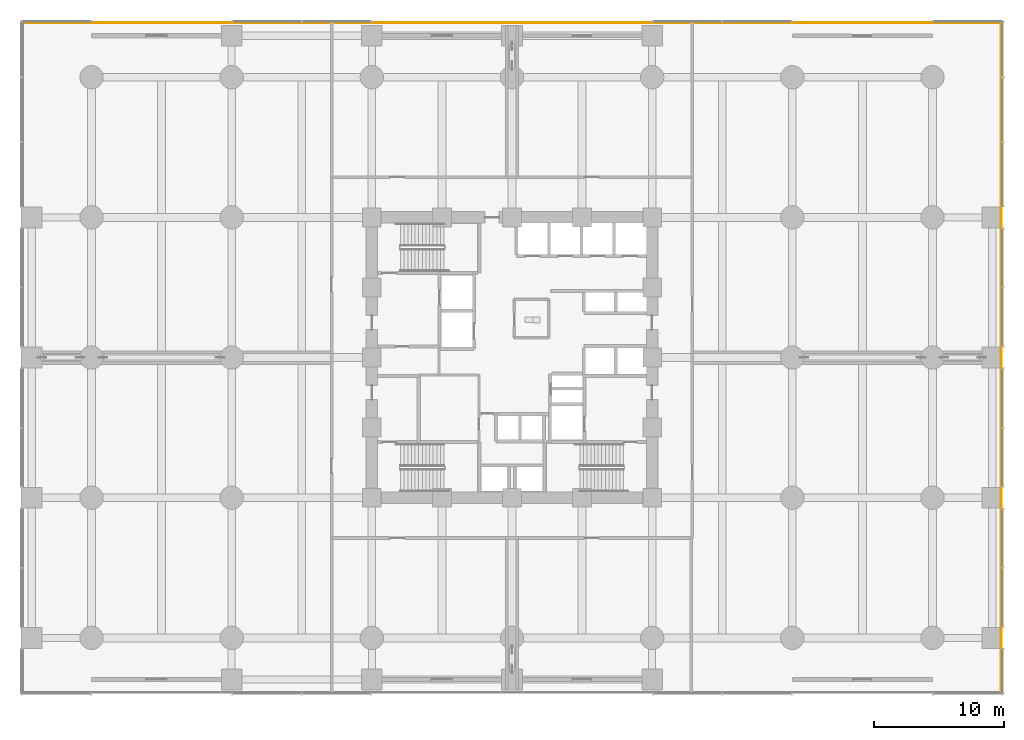
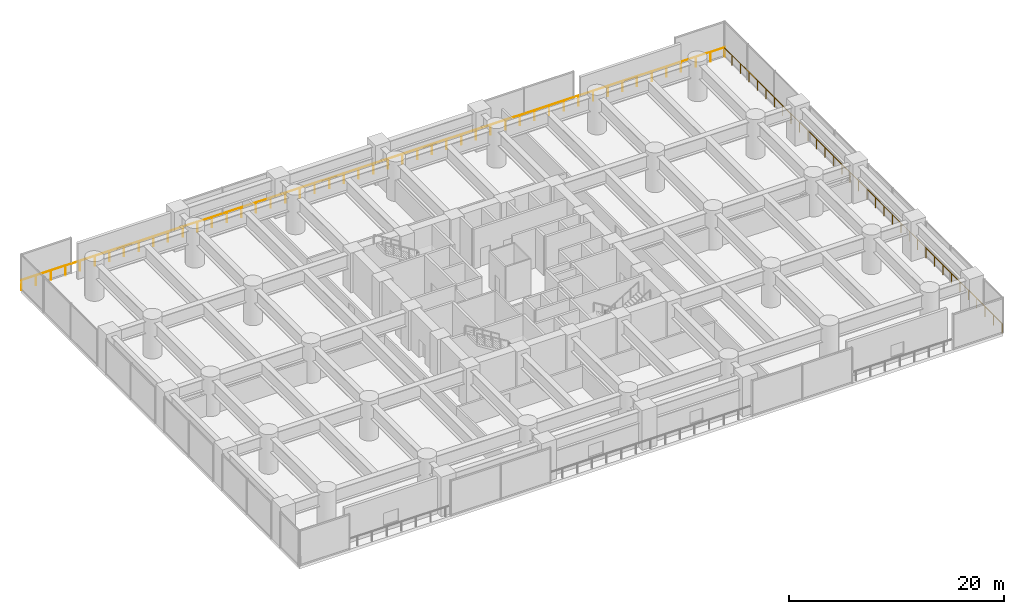
# One storey, part 36 of 37: 2 railings.
"""IFC4 building model written with IfcOpenShell, lengths in metres."""

from ifc_helpers import new_model, si_unit, direction, frame, origin, origin_2d, place, context, subcontext, project, spatial, circle, extrude, material, type_object, element, save


model = new_model("IFC4")

# Units and contexts
model_context = context("Model", 3, precision=1e-05, world=origin(), true_north=direction((0.0, 1.0)))
body_context = subcontext(model_context, "Body", "Model", "MODEL_VIEW")
ifc_project = project(units=[si_unit("LENGTHUNIT", "METRE"), si_unit("AREAUNIT", "SQUARE_METRE"), si_unit("VOLUMEUNIT", "CUBIC_METRE"), si_unit("PLANEANGLEUNIT", "RADIAN"), si_unit("MASSUNIT", "GRAM", prefix="KILO")], contexts=[model_context])

# Site, building, storey
site_placement = place(None, origin())
site = spatial("IfcSite", under=ifc_project, at=site_placement, CompositionType="ELEMENT")
building_placement = place(site_placement, origin())
building = spatial("IfcBuilding", under=site, at=building_placement, Name="Surkhivell Harbour Commons", CompositionType="ELEMENT")
storey_placement = place(building_placement, frame((0.0, 0.0, 18.0)))
storey = spatial("IfcBuildingStorey", under=building, at=storey_placement, Name="L04", CompositionType="ELEMENT", Elevation=18.0)

# Railings
ifc_material = material(Name="Laminated safety glass and stainless steel S355 balustrade", Category="steel")
railing_type = type_object("IfcRailingType", Name="RAL-BAL-1150", PredefinedType="BALUSTRADE", material=ifc_material)
railing_1_placement = place(storey_placement, frame((37.699951171875, -25.89990234375, 0.0)))
element("IfcRailing", 1, at=railing_1_placement, inside=storey, type_object=railing_type, Name="L04 Perimeter Safety Guard 02", PredefinedType="BALUSTRADE", context=body_context, shape_type="SweptSolid", body=[
    extrude(circle(Radius=0.02392578125, at=origin_2d()), frame((0.0, 0.0, 1.1259765625), z_axis=(0.0, 1.0, 0.0), x_axis=(-1.0, 0.0, 0.0)), (0.0, 0.0, 1.0), 51.7998046875),
    extrude(circle(Radius=0.02099609375, at=origin_2d()), origin(), (0.0, 0.0, 1.0), 1.101806640625),
    extrude(circle(Radius=0.02099609375, at=origin_2d()), frame((0.0, 1.569580078125, 0.0)), (0.0, 0.0, 1.0), 1.101806640625),
    extrude(circle(Radius=0.02099609375, at=origin_2d()), frame((0.0, 3.139404296875, 0.0)), (0.0, 0.0, 1.0), 1.101806640625),
    extrude(circle(Radius=0.02099609375, at=origin_2d()), frame((0.0, 4.708984375, 0.0)), (0.0, 0.0, 1.0), 1.101806640625),
    extrude(circle(Radius=0.02099609375, at=origin_2d()), frame((0.0, 6.27880859375, 0.0)), (0.0, 0.0, 1.0), 1.101806640625),
    extrude(circle(Radius=0.02099609375, at=origin_2d()), frame((0.0, 7.848388671875, 0.0)), (0.0, 0.0, 1.0), 1.101806640625),
    extrude(circle(Radius=0.02099609375, at=origin_2d()), frame((0.0, 9.418212890625, 0.0)), (0.0, 0.0, 1.0), 1.101806640625),
    extrude(circle(Radius=0.02099609375, at=origin_2d()), frame((0.0, 10.98779296875, 0.0)), (0.0, 0.0, 1.0), 1.101806640625),
    extrude(circle(Radius=0.02099609375, at=origin_2d()), frame((0.0, 12.5576171875, 0.0)), (0.0, 0.0, 1.0), 1.101806640625),
    extrude(circle(Radius=0.02099609375, at=origin_2d()), frame((0.0, 14.127197265625, 0.0)), (0.0, 0.0, 1.0), 1.101806640625),
    extrude(circle(Radius=0.02099609375, at=origin_2d()), frame((0.0, 15.697021484375, 0.0)), (0.0, 0.0, 1.0), 1.101806640625),
    extrude(circle(Radius=0.02099609375, at=origin_2d()), frame((0.0, 17.2666015625, 0.0)), (0.0, 0.0, 1.0), 1.101806640625),
    extrude(circle(Radius=0.02099609375, at=origin_2d()), frame((0.0, 18.836181640625, 0.0)), (0.0, 0.0, 1.0), 1.101806640625),
    extrude(circle(Radius=0.02099609375, at=origin_2d()), frame((0.0, 20.406005859375, 0.0)), (0.0, 0.0, 1.0), 1.101806640625),
    extrude(circle(Radius=0.02099609375, at=origin_2d()), frame((0.0, 21.9755859375, 0.0)), (0.0, 0.0, 1.0), 1.101806640625),
    extrude(circle(Radius=0.02099609375, at=origin_2d()), frame((0.0, 23.54541015625, 0.0)), (0.0, 0.0, 1.0), 1.101806640625),
    extrude(circle(Radius=0.02099609375, at=origin_2d()), frame((0.0, 25.114990234375, 0.0)), (0.0, 0.0, 1.0), 1.101806640625),
    extrude(circle(Radius=0.02099609375, at=origin_2d()), frame((0.0, 26.684814453125, 0.0)), (0.0, 0.0, 1.0), 1.101806640625),
    extrude(circle(Radius=0.02099609375, at=origin_2d()), frame((0.0, 28.25439453125, 0.0)), (0.0, 0.0, 1.0), 1.101806640625),
    extrude(circle(Radius=0.02099609375, at=origin_2d()), frame((0.0, 29.82421875, 0.0)), (0.0, 0.0, 1.0), 1.101806640625),
    extrude(circle(Radius=0.02099609375, at=origin_2d()), frame((0.0, 31.393798828125, 0.0)), (0.0, 0.0, 1.0), 1.101806640625),
    extrude(circle(Radius=0.02099609375, at=origin_2d()), frame((0.0, 32.963623046875, 0.0)), (0.0, 0.0, 1.0), 1.101806640625),
    extrude(circle(Radius=0.02099609375, at=origin_2d()), frame((0.0, 34.533203125, 0.0)), (0.0, 0.0, 1.0), 1.101806640625),
    extrude(circle(Radius=0.02099609375, at=origin_2d()), frame((0.0, 36.102783203125, 0.0)), (0.0, 0.0, 1.0), 1.101806640625),
    extrude(circle(Radius=0.02099609375, at=origin_2d()), frame((0.0, 37.672607421875, 0.0)), (0.0, 0.0, 1.0), 1.101806640625),
    extrude(circle(Radius=0.02099609375, at=origin_2d()), frame((0.0, 39.2421875, 0.0)), (0.0, 0.0, 1.0), 1.101806640625),
    extrude(circle(Radius=0.02099609375, at=origin_2d()), frame((0.0, 40.81201171875, 0.0)), (0.0, 0.0, 1.0), 1.101806640625),
    extrude(circle(Radius=0.02099609375, at=origin_2d()), frame((0.0, 42.381591796875, 0.0)), (0.0, 0.0, 1.0), 1.101806640625),
    extrude(circle(Radius=0.02099609375, at=origin_2d()), frame((0.0, 43.951416015625, 0.0)), (0.0, 0.0, 1.0), 1.101806640625),
    extrude(circle(Radius=0.02099609375, at=origin_2d()), frame((0.0, 45.52099609375, 0.0)), (0.0, 0.0, 1.0), 1.101806640625),
    extrude(circle(Radius=0.02099609375, at=origin_2d()), frame((0.0, 47.0908203125, 0.0)), (0.0, 0.0, 1.0), 1.101806640625),
    extrude(circle(Radius=0.02099609375, at=origin_2d()), frame((0.0, 48.660400390625, 0.0)), (0.0, 0.0, 1.0), 1.101806640625),
    extrude(circle(Radius=0.02099609375, at=origin_2d()), frame((0.0, 50.230224609375, 0.0)), (0.0, 0.0, 1.0), 1.101806640625),
    extrude(circle(Radius=0.02099609375, at=origin_2d()), frame((0.0, 51.7998046875, 0.0)), (0.0, 0.0, 1.0), 1.101806640625),
])
railing_2_placement = place(storey_placement, frame((37.800048828125, 25.800048828125, 0.0)))
element("IfcRailing", 2, at=railing_2_placement, inside=storey, type_object=railing_type, Name="L04 Perimeter Safety Guard 03", PredefinedType="BALUSTRADE", context=body_context, shape_type="SweptSolid", body=[
    extrude(circle(Radius=0.02392578125, at=origin_2d()), frame((0.0, 0.0, 1.1259765625), z_axis=(-1.0, 0.0, 0.0), x_axis=(0.0, -1.0, 0.0)), (0.0, 0.0, 1.0), 75.60009765625),
    extrude(circle(Radius=0.02099609375, at=origin_2d()), origin(), (0.0, 0.0, 1.0), 1.101806640625),
    extrude(circle(Radius=0.02099609375, at=origin_2d()), frame((-1.574951171875, 0.0, 0.0)), (0.0, 0.0, 1.0), 1.101806640625),
    extrude(circle(Radius=0.02099609375, at=origin_2d()), frame((-3.14990234375, 0.0, 0.0)), (0.0, 0.0, 1.0), 1.101806640625),
    extrude(circle(Radius=0.02099609375, at=origin_2d()), frame((-4.72509765625, 0.0, 0.0)), (0.0, 0.0, 1.0), 1.101806640625),
    extrude(circle(Radius=0.02099609375, at=origin_2d()), frame((-6.300048828125, 0.0, 0.0)), (0.0, 0.0, 1.0), 1.101806640625),
    extrude(circle(Radius=0.02099609375, at=origin_2d()), frame((-7.875, 0.0, 0.0)), (0.0, 0.0, 1.0), 1.101806640625),
    extrude(circle(Radius=0.02099609375, at=origin_2d()), frame((-9.449951171875, 0.0, 0.0)), (0.0, 0.0, 1.0), 1.101806640625),
    extrude(circle(Radius=0.02099609375, at=origin_2d()), frame((-11.02490234375, 0.0, 0.0)), (0.0, 0.0, 1.0), 1.101806640625),
    extrude(circle(Radius=0.02099609375, at=origin_2d()), frame((-12.60009765625, 0.0, 0.0)), (0.0, 0.0, 1.0), 1.101806640625),
    extrude(circle(Radius=0.02099609375, at=origin_2d()), frame((-14.175048828125, 0.0, 0.0)), (0.0, 0.0, 1.0), 1.101806640625),
    extrude(circle(Radius=0.02099609375, at=origin_2d()), frame((-15.75, 0.0, 0.0)), (0.0, 0.0, 1.0), 1.101806640625),
    extrude(circle(Radius=0.02099609375, at=origin_2d()), frame((-17.324951171875, 0.0, 0.0)), (0.0, 0.0, 1.0), 1.101806640625),
    extrude(circle(Radius=0.02099609375, at=origin_2d()), frame((-18.89990234375, 0.0, 0.0)), (0.0, 0.0, 1.0), 1.101806640625),
    extrude(circle(Radius=0.02099609375, at=origin_2d()), frame((-20.47509765625, 0.0, 0.0)), (0.0, 0.0, 1.0), 1.101806640625),
    extrude(circle(Radius=0.02099609375, at=origin_2d()), frame((-22.050048828125, 0.0, 0.0)), (0.0, 0.0, 1.0), 1.101806640625),
    extrude(circle(Radius=0.02099609375, at=origin_2d()), frame((-23.625, 0.0, 0.0)), (0.0, 0.0, 1.0), 1.101806640625),
    extrude(circle(Radius=0.02099609375, at=origin_2d()), frame((-25.199951171875, 0.0, 0.0)), (0.0, 0.0, 1.0), 1.101806640625),
    extrude(circle(Radius=0.02099609375, at=origin_2d()), frame((-26.775146484375, 0.0, 0.0)), (0.0, 0.0, 1.0), 1.101806640625),
    extrude(circle(Radius=0.02099609375, at=origin_2d()), frame((-28.35009765625, 0.0, 0.0)), (0.0, 0.0, 1.0), 1.101806640625),
    extrude(circle(Radius=0.02099609375, at=origin_2d()), frame((-29.925048828125, 0.0, 0.0)), (0.0, 0.0, 1.0), 1.101806640625),
    extrude(circle(Radius=0.02099609375, at=origin_2d()), frame((-31.5, 0.0, 0.0)), (0.0, 0.0, 1.0), 1.101806640625),
    extrude(circle(Radius=0.02099609375, at=origin_2d()), frame((-33.074951171875, 0.0, 0.0)), (0.0, 0.0, 1.0), 1.101806640625),
    extrude(circle(Radius=0.02099609375, at=origin_2d()), frame((-34.650146484375, 0.0, 0.0)), (0.0, 0.0, 1.0), 1.101806640625),
    extrude(circle(Radius=0.02099609375, at=origin_2d()), frame((-36.22509765625, 0.0, 0.0)), (0.0, 0.0, 1.0), 1.101806640625),
    extrude(circle(Radius=0.02099609375, at=origin_2d()), frame((-37.800048828125, 0.0, 0.0)), (0.0, 0.0, 1.0), 1.101806640625),
    extrude(circle(Radius=0.02099609375, at=origin_2d()), frame((-39.375, 0.0, 0.0)), (0.0, 0.0, 1.0), 1.101806640625),
    extrude(circle(Radius=0.02099609375, at=origin_2d()), frame((-40.949951171875, 0.0, 0.0)), (0.0, 0.0, 1.0), 1.101806640625),
    extrude(circle(Radius=0.02099609375, at=origin_2d()), frame((-42.525146484375, 0.0, 0.0)), (0.0, 0.0, 1.0), 1.101806640625),
    extrude(circle(Radius=0.02099609375, at=origin_2d()), frame((-44.10009765625, 0.0, 0.0)), (0.0, 0.0, 1.0), 1.101806640625),
    extrude(circle(Radius=0.02099609375, at=origin_2d()), frame((-45.675048828125, 0.0, 0.0)), (0.0, 0.0, 1.0), 1.101806640625),
    extrude(circle(Radius=0.02099609375, at=origin_2d()), frame((-47.25, 0.0, 0.0)), (0.0, 0.0, 1.0), 1.101806640625),
    extrude(circle(Radius=0.02099609375, at=origin_2d()), frame((-48.824951171875, 0.0, 0.0)), (0.0, 0.0, 1.0), 1.101806640625),
    extrude(circle(Radius=0.02099609375, at=origin_2d()), frame((-50.400146484375, 0.0, 0.0)), (0.0, 0.0, 1.0), 1.101806640625),
    extrude(circle(Radius=0.02099609375, at=origin_2d()), frame((-51.97509765625, 0.0, 0.0)), (0.0, 0.0, 1.0), 1.101806640625),
    extrude(circle(Radius=0.02099609375, at=origin_2d()), frame((-53.550048828125, 0.0, 0.0)), (0.0, 0.0, 1.0), 1.101806640625),
    extrude(circle(Radius=0.02099609375, at=origin_2d()), frame((-55.125, 0.0, 0.0)), (0.0, 0.0, 1.0), 1.101806640625),
    extrude(circle(Radius=0.02099609375, at=origin_2d()), frame((-56.7001953125, 0.0, 0.0)), (0.0, 0.0, 1.0), 1.101806640625),
    extrude(circle(Radius=0.02099609375, at=origin_2d()), frame((-58.275146484375, 0.0, 0.0)), (0.0, 0.0, 1.0), 1.101806640625),
    extrude(circle(Radius=0.02099609375, at=origin_2d()), frame((-59.85009765625, 0.0, 0.0)), (0.0, 0.0, 1.0), 1.101806640625),
    extrude(circle(Radius=0.02099609375, at=origin_2d()), frame((-61.425048828125, 0.0, 0.0)), (0.0, 0.0, 1.0), 1.101806640625),
    extrude(circle(Radius=0.02099609375, at=origin_2d()), frame((-63.0, 0.0, 0.0)), (0.0, 0.0, 1.0), 1.101806640625),
    extrude(circle(Radius=0.02099609375, at=origin_2d()), frame((-64.5751953125, 0.0, 0.0)), (0.0, 0.0, 1.0), 1.101806640625),
    extrude(circle(Radius=0.02099609375, at=origin_2d()), frame((-66.150146484375, 0.0, 0.0)), (0.0, 0.0, 1.0), 1.101806640625),
    extrude(circle(Radius=0.02099609375, at=origin_2d()), frame((-67.72509765625, 0.0, 0.0)), (0.0, 0.0, 1.0), 1.101806640625),
    extrude(circle(Radius=0.02099609375, at=origin_2d()), frame((-69.300048828125, 0.0, 0.0)), (0.0, 0.0, 1.0), 1.101806640625),
    extrude(circle(Radius=0.02099609375, at=origin_2d()), frame((-70.875, 0.0, 0.0)), (0.0, 0.0, 1.0), 1.101806640625),
    extrude(circle(Radius=0.02099609375, at=origin_2d()), frame((-72.4501953125, 0.0, 0.0)), (0.0, 0.0, 1.0), 1.101806640625),
    extrude(circle(Radius=0.02099609375, at=origin_2d()), frame((-74.025146484375, 0.0, 0.0)), (0.0, 0.0, 1.0), 1.101806640625),
    extrude(circle(Radius=0.02099609375, at=origin_2d()), frame((-75.60009765625, 0.0, 0.0)), (0.0, 0.0, 1.0), 1.101806640625),
])

save(model, "model.ifc")
